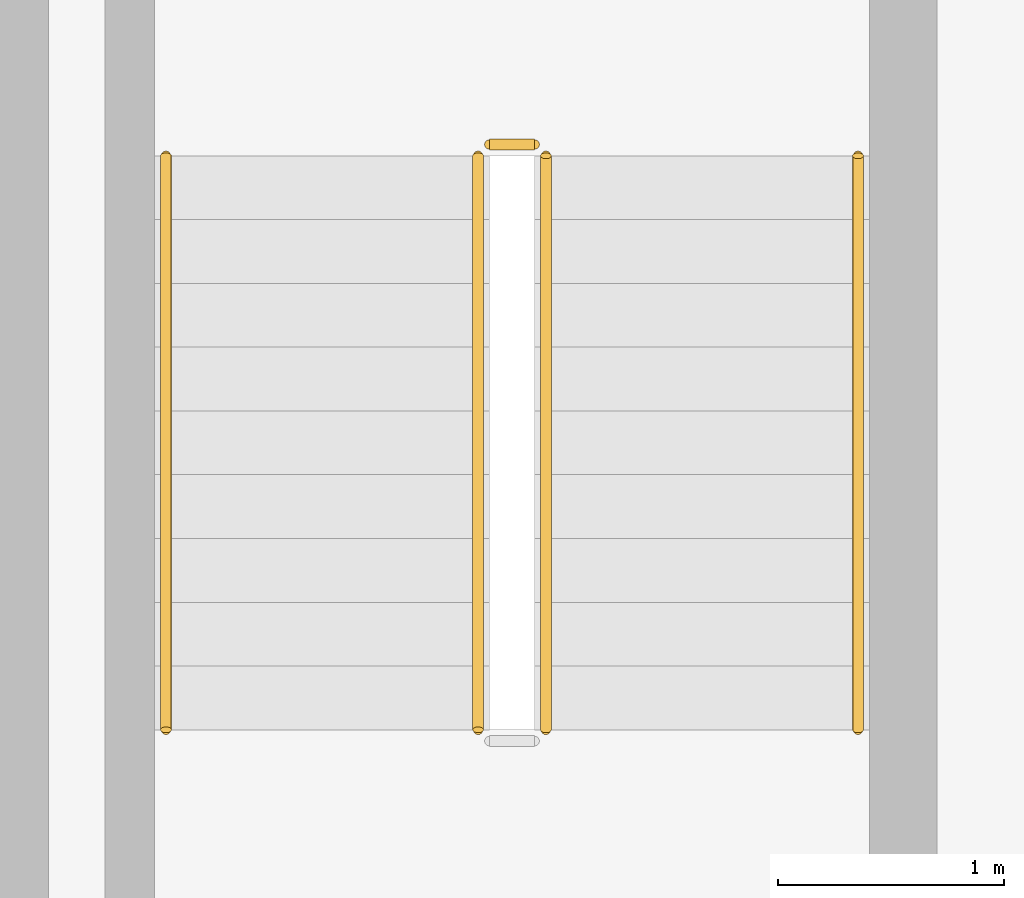
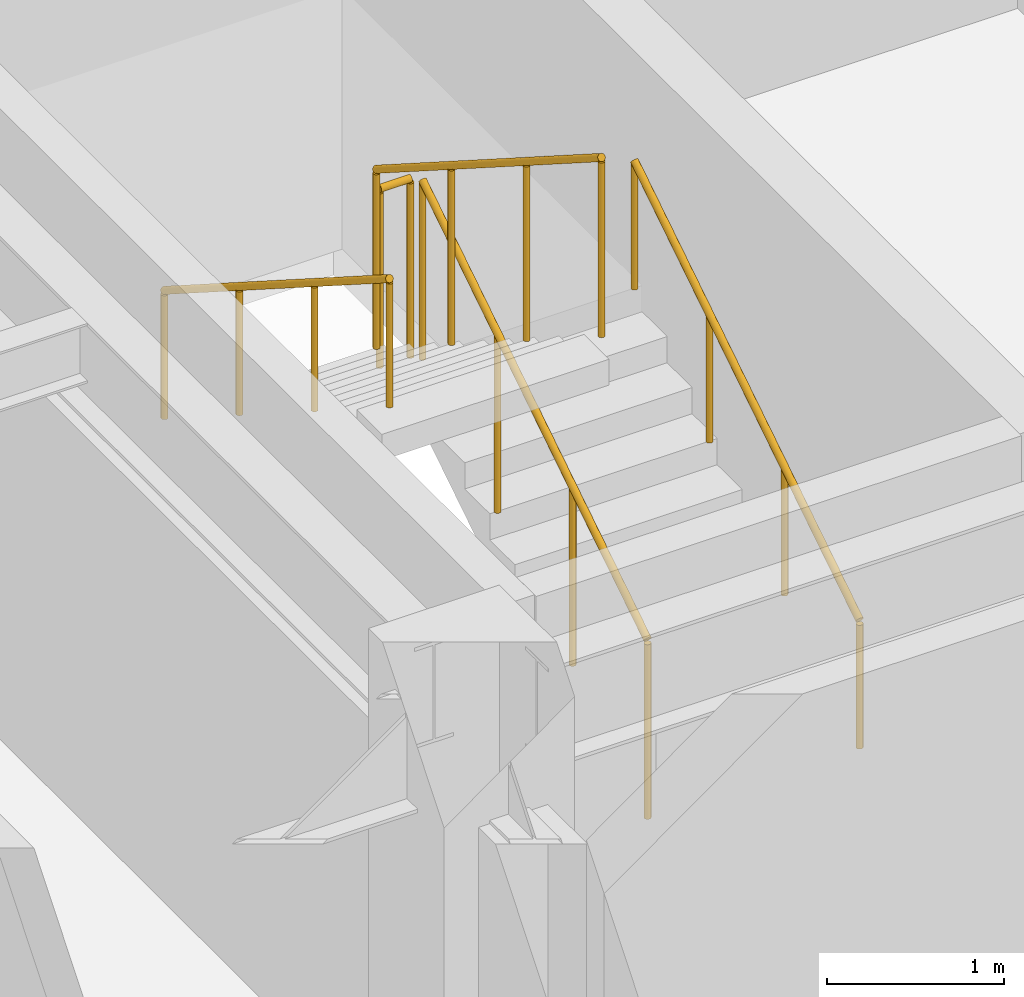
# One storey, part 15 of 15: 5 railings.
"""IFC4 building model written with IfcOpenShell, lengths in metres."""

import ifcopenshell
import ifcopenshell.guid

model = None  # the IFC model being written
_history = None  # IfcOwnerHistory: only IFC2X3 demands one
_inside = {}  # id of a spatial element -> (the spatial element, [elements in it])
_under = {}  # id of a project, library or spatial element -> (it, [spatial elements below it])
_declared = {}  # id of a project -> (the project, [libraries it declares])
_typed = {}  # id of a type object -> (the type object, [elements of that type])
_made_of = {}  # id of a material, layer set ... -> (it, [elements and type objects made of it])


def new_model(schema):
    """Start an empty IFC model of exactly this schema.

    Asked for "IFC4X3", IfcOpenShell would pick the latest addendum, in which some entities
    have other attributes; the version numbers below select the first issue.
    IFC2X3 requires an IfcOwnerHistory on every rooted entity: one is made here for all.
    """
    global model, _history
    if schema == "IFC4X3":
        model = ifcopenshell.file(schema_version=(4, 3, 0, 0))
    else:
        model = ifcopenshell.file(schema=schema)
    _inside.clear()
    _under.clear()
    _declared.clear()
    _typed.clear()
    _made_of.clear()
    _history = None
    if model.schema == "IFC2X3":
        org = make("IfcOrganization", Name="unknown")
        user = make(
            "IfcPersonAndOrganization",
            ThePerson=make("IfcPerson", FamilyName="unknown"),
            TheOrganization=org,
        )
        app = make(
            "IfcApplication",
            ApplicationDeveloper=org,
            Version="unknown",
            ApplicationFullName="unknown",
            ApplicationIdentifier="unknown",
        )
        _history = make(
            "IfcOwnerHistory",
            OwningUser=user,
            OwningApplication=app,
            ChangeAction="ADDED",
            CreationDate=0,
        )
    return model


def make(cls, **values):
    """One entity of the class cls with the attributes given. An attribute that is None is left unset."""
    return model.create_entity(
        cls, **{name: value for name, value in values.items() if value is not None}
    )


def rooted(cls, **values):
    """An entity with a GlobalId (a new one), such as an element, a storey or a relation."""
    return make(cls, GlobalId=ifcopenshell.guid.new(), OwnerHistory=_history, **values)


def si_unit(unit_type, name, prefix=None):
    """IfcSIUnit, for example si_unit("LENGTHUNIT", "METRE", prefix="MILLI")."""
    return make("IfcSIUnit", UnitType=unit_type, Prefix=prefix, Name=name)


def assignment(units):
    """IfcUnitAssignment: the units of a project."""
    return None if units is None else make("IfcUnitAssignment", Units=units)


def point(xyz):
    """IfcCartesianPoint."""
    return None if xyz is None else make("IfcCartesianPoint", Coordinates=xyz)


def direction(xyz):
    """IfcDirection."""
    return None if xyz is None else make("IfcDirection", DirectionRatios=xyz)


def frame(location, z_axis=None, x_axis=None):
    """IfcAxis2Placement3D, a coordinate frame: its origin and axes. An axis left out is left unset."""
    return make(
        "IfcAxis2Placement3D",
        Location=point(location),
        Axis=direction(z_axis),
        RefDirection=direction(x_axis),
    )


def frame_2d(location, x_axis=None):
    """IfcAxis2Placement2D, a coordinate frame in the plane: its origin and x axis."""
    return make(
        "IfcAxis2Placement2D", Location=point(location), RefDirection=direction(x_axis)
    )


def origin():
    """The frame at (0, 0, 0) with its axes left unset."""
    return frame((0.0, 0.0, 0.0))


def origin_2d():
    """The frame at (0, 0) in the plane with its x axis left unset."""
    return frame_2d((0.0, 0.0))


def place(relative_to, where):
    """IfcLocalPlacement: puts the frame where relative to a parent placement (None: the world)."""
    return make(
        "IfcLocalPlacement", PlacementRelTo=relative_to, RelativePlacement=where
    )


def context(
    kind, dimensions, precision=None, world=None, true_north=None, identifier=None
):
    """IfcGeometricRepresentationContext, for example the 3D "Model" context."""
    return make(
        "IfcGeometricRepresentationContext",
        ContextIdentifier=identifier,
        ContextType=kind,
        CoordinateSpaceDimension=dimensions,
        Precision=precision,
        WorldCoordinateSystem=world,
        TrueNorth=true_north,
    )


def subcontext(parent, identifier, kind, view, scale=None):
    """IfcGeometricRepresentationSubContext, for example "Body" below "Model"."""
    return make(
        "IfcGeometricRepresentationSubContext",
        ContextIdentifier=identifier,
        ContextType=kind,
        ParentContext=parent,
        TargetScale=scale,
        TargetView=view,
    )


def project(units=None, contexts=None):
    """IfcProject with its units and contexts."""
    return rooted(
        "IfcProject",
        Name="project",
        RepresentationContexts=contexts,
        UnitsInContext=assignment(units),
    )


def spatial(cls, under=None, at=None, **own):
    """A site, building, storey or space (cls), placed at a placement, below another one or the project."""
    s = rooted(cls, ObjectPlacement=at, **own)
    if under is not None:
        _under.setdefault(under.id(), (under, []))[1].append(s)
    return s


def profile(cls, at=None, kind="AREA", **sizes):
    """A parametric profile (cls). Its sizes go by their IFC names, for example OverallWidth=200.0."""
    return make(cls, ProfileType=kind, Position=at, **sizes)


def circle(**sizes):
    """IfcCircleProfileDef."""
    return profile("IfcCircleProfileDef", **sizes)


def extrude(swept, where, along, depth):
    """IfcExtrudedAreaSolid: the profile swept, set in the frame where, extruded along a direction by depth."""
    return make(
        "IfcExtrudedAreaSolid",
        SweptArea=swept,
        Position=where,
        ExtrudedDirection=direction(along),
        Depth=depth,
    )


def shape(context_of_items, identifier, shape_type, items):
    """IfcShapeRepresentation: the items that make up one representation, for example the "Body"."""
    return make(
        "IfcShapeRepresentation",
        ContextOfItems=context_of_items,
        RepresentationIdentifier=identifier,
        RepresentationType=shape_type,
        Items=items,
    )


def material(Name=None, Category=None):
    """IfcMaterial."""
    return make("IfcMaterial", Name=Name, Category=Category)


def made_of(thing, what):
    """Note that an element or type object is made of a material, layer set ...; save() writes the relation."""
    if what is not None:
        _made_of.setdefault(what.id(), (what, []))[1].append(thing)
    return thing


def type_object(cls, material=None, **own):
    """A type object (cls), such as IfcWallType, which elements share."""
    return made_of(rooted(cls, **own), material)


def element(
    cls,
    number,
    at=None,
    inside=None,
    cuts=None,
    type_object=None,
    material=None,
    context=None,
    identifier="Body",
    shape_type=None,
    held_by="IfcProductDefinitionShape",
    body=None,
    shapes=None,
    **own,
):
    """One element of the class cls, such as IfcWall. Its Tag is "e" and its number.

    at: its placement. inside: the storey or other place that contains it. cuts: it is an
    opening in that element (IfcRelVoidsElement). A single representation is given by context,
    identifier, shape_type and body (its items); several are given by shapes. held_by: the class
    of the entity that holds the representations. save() writes the other relations.
    """
    e = rooted(cls, Tag="e%d" % number, ObjectPlacement=at, **own)
    if body is not None:
        shapes = [shape(context, identifier, shape_type, body)]
    if shapes is not None:
        e.Representation = make(held_by, Representations=shapes)
    if inside is not None:
        _inside.setdefault(inside.id(), (inside, []))[1].append(e)
    if cuts is not None:
        rooted(
            "IfcRelVoidsElement", RelatingBuildingElement=cuts, RelatedOpeningElement=e
        )
    if type_object is not None:
        _typed.setdefault(type_object.id(), (type_object, []))[1].append(e)
    return made_of(e, material)


def aggregate(whole, parts):
    """IfcRelAggregates: a whole, such as a stair, and the parts it consists of."""
    return rooted("IfcRelAggregates", RelatingObject=whole, RelatedObjects=parts)


def save(model, path):
    """Write the relations noted so far, then the file.

    IfcRelAggregates (storeys below a building ...), IfcRelContainedInSpatialStructure (elements
    in a storey), IfcRelDefinesByType, IfcRelAssociatesMaterial and IfcRelDeclares: one each for
    every whole, place, type object, material and project.
    """
    for whole, parts in _under.values():
        aggregate(whole, parts)
    for where, things in _inside.values():
        rooted(
            "IfcRelContainedInSpatialStructure",
            RelatedElements=things,
            RelatingStructure=where,
        )
    for kind, things in _typed.values():
        rooted("IfcRelDefinesByType", RelatedObjects=things, RelatingType=kind)
    for what, things in _made_of.values():
        rooted("IfcRelAssociatesMaterial", RelatedObjects=things, RelatingMaterial=what)
    for by, libraries in _declared.values():
        rooted("IfcRelDeclares", RelatingContext=by, RelatedDefinitions=libraries)
    model.write(path)


model = new_model("IFC4")

# Units and contexts
model_context = context("Model", 3, precision=1e-05, world=origin(), true_north=direction((0.0, 1.0)))
body_context = subcontext(model_context, "Body", "Model", "MODEL_VIEW")
ifc_project = project(units=[si_unit("LENGTHUNIT", "METRE"), si_unit("AREAUNIT", "SQUARE_METRE"), si_unit("VOLUMEUNIT", "CUBIC_METRE"), si_unit("PLANEANGLEUNIT", "RADIAN"), si_unit("MASSUNIT", "GRAM", prefix="KILO")], contexts=[model_context])

# Site, building, storey
site_placement = place(None, origin())
site = spatial("IfcSite", under=ifc_project, at=site_placement, CompositionType="ELEMENT")
building_placement = place(site_placement, origin())
building = spatial("IfcBuilding", under=site, at=building_placement, Name="Ochreholt Gables", CompositionType="ELEMENT")
storey_placement = place(building_placement, frame((0.0, 0.0, 31.199951171875)))
storey = spatial("IfcBuildingStorey", under=building, at=storey_placement, Name="L07", CompositionType="ELEMENT", Elevation=31.199951171875)

# Railings
ifc_material_1 = material(Name="Painted Steel Stair Guardrail", Category="steel")
railing_type_1 = type_object("IfcRailingType", Name="RL-ST-GUARD", PredefinedType="GUARDRAIL", material=ifc_material_1)
railing_1_placement = place(storey_placement, frame((26.64990234375, 32.4599609375, 0.179931640625)))
element("IfcRailing", 1, at=railing_1_placement, inside=storey, type_object=railing_type_1, Name="L07 ST-2 stair guard 1", PredefinedType="GUARDRAIL", context=body_context, shape_type="SweptSolid", body=[
    extrude(circle(Radius=0.02392578125, at=origin_2d()), frame((0.0, 0.0, 1.22607421875), z_axis=(0.0, 0.842912820907, 0.538050161556), x_axis=(-1.0, 0.0, 0.0)), (0.0, 0.0, 1.0), 3.010986328125),
    extrude(circle(Radius=0.02099609375, at=origin_2d()), origin(), (0.0, 0.0, 1.0), 1.201904296875),
    extrude(circle(Radius=0.02099609375, at=origin_2d()), frame((0.0, 0.845947265625, 0.5400390625)), (0.0, 0.0, 1.0), 1.201904296875),
    extrude(circle(Radius=0.02099609375, at=origin_2d()), frame((0.0, 1.692138671875, 1.080078125)), (0.0, 0.0, 1.0), 1.201904296875),
    extrude(circle(Radius=0.02099609375, at=origin_2d()), frame((0.0, 2.5380859375, 1.6201171875)), (0.0, 0.0, 1.0), 1.201904296875),
])
railing_2_placement = place(storey_placement, frame((26.60009765625, 35.048095703125, 1.800048828125)))
element("IfcRailing", 2, at=railing_2_placement, inside=storey, type_object=railing_type_1, Name="L07 ST-2 stair guard 2", PredefinedType="GUARDRAIL", context=body_context, shape_type="SweptSolid", body=[
    extrude(circle(Radius=0.02392578125, at=origin_2d()), frame((0.0, 0.0, 1.22607421875), z_axis=(-1.0, 0.0, 0.0), x_axis=(0.0, -1.0, 0.0)), (0.0, 0.0, 1.0), 0.2001953125),
    extrude(circle(Radius=0.02099609375, at=origin_2d()), origin(), (0.0, 0.0, 1.0), 1.201904296875),
    extrude(circle(Radius=0.02099609375, at=origin_2d()), frame((-0.2001953125, 0.0, 0.0)), (0.0, 0.0, 1.0), 1.201904296875),
])
railing_3_placement = place(storey_placement, frame((26.35009765625, 34.998046875, 1.97998046875)))
element("IfcRailing", 3, at=railing_3_placement, inside=storey, type_object=railing_type_1, Name="L07 ST-2 stair guard 3", PredefinedType="GUARDRAIL", context=body_context, shape_type="SweptSolid", body=[
    extrude(circle(Radius=0.02392578125, at=origin_2d()), frame((0.0, 0.0, 1.22607421875), z_axis=(0.0, -0.842912820907, 0.538050161556), x_axis=(1.0, 0.0, 0.0)), (0.0, 0.0, 1.0), 3.010986328125),
    extrude(circle(Radius=0.02099609375, at=origin_2d()), origin(), (0.0, 0.0, 1.0), 1.201904296875),
    extrude(circle(Radius=0.02099609375, at=origin_2d()), frame((0.0, -0.845947265625, 0.5400390625)), (0.0, 0.0, 1.0), 1.201904296875),
    extrude(circle(Radius=0.02099609375, at=origin_2d()), frame((0.0, -1.692138671875, 1.080078125)), (0.0, 0.0, 1.0), 1.201904296875),
    extrude(circle(Radius=0.02099609375, at=origin_2d()), frame((0.0, -2.5380859375, 1.6201171875)), (0.0, 0.0, 1.0), 1.201904296875),
])
ifc_material_2 = material(Name="Brushed Stainless Steel Wall Handrail", Category="steel")
railing_type_2 = type_object("IfcRailingType", Name="RL-ST-HAND", PredefinedType="HANDRAIL", material=ifc_material_2)
railing_4_placement = place(storey_placement, frame((28.030029296875, 32.4599609375, 0.179931640625)))
element("IfcRailing", 4, at=railing_4_placement, inside=storey, type_object=railing_type_2, Name="L07 ST-2 stair handrail 1", PredefinedType="HANDRAIL", context=body_context, shape_type="SweptSolid", body=[
    extrude(circle(Radius=0.02392578125, at=origin_2d()), frame((0.0, 0.0, 0.8759765625), z_axis=(0.0, 0.842912820907, 0.538050161556), x_axis=(-1.0, 0.0, 0.0)), (0.0, 0.0, 1.0), 3.010986328125),
    extrude(circle(Radius=0.02099609375, at=origin_2d()), origin(), (0.0, 0.0, 1.0), 0.851806640625),
    extrude(circle(Radius=0.02099609375, at=origin_2d()), frame((0.0, 0.845947265625, 0.5400390625)), (0.0, 0.0, 1.0), 0.851806640625),
    extrude(circle(Radius=0.02099609375, at=origin_2d()), frame((0.0, 1.692138671875, 1.080078125)), (0.0, 0.0, 1.0), 0.851806640625),
    extrude(circle(Radius=0.02099609375, at=origin_2d()), frame((0.0, 2.5380859375, 1.6201171875)), (0.0, 0.0, 1.0), 0.851806640625),
])
railing_5_placement = place(storey_placement, frame((24.969970703125, 34.998046875, 1.97998046875)))
element("IfcRailing", 5, at=railing_5_placement, inside=storey, type_object=railing_type_2, Name="L07 ST-2 stair handrail 2", PredefinedType="HANDRAIL", context=body_context, shape_type="SweptSolid", body=[
    extrude(circle(Radius=0.02392578125, at=origin_2d()), frame((0.0, 0.0, 0.8759765625), z_axis=(0.0, -0.842912820907, 0.538050161556), x_axis=(1.0, 0.0, 0.0)), (0.0, 0.0, 1.0), 3.010986328125),
    extrude(circle(Radius=0.02099609375, at=origin_2d()), origin(), (0.0, 0.0, 1.0), 0.851806640625),
    extrude(circle(Radius=0.02099609375, at=origin_2d()), frame((0.0, -0.845947265625, 0.5400390625)), (0.0, 0.0, 1.0), 0.851806640625),
    extrude(circle(Radius=0.02099609375, at=origin_2d()), frame((0.0, -1.692138671875, 1.080078125)), (0.0, 0.0, 1.0), 0.851806640625),
    extrude(circle(Radius=0.02099609375, at=origin_2d()), frame((0.0, -2.5380859375, 1.6201171875)), (0.0, 0.0, 1.0), 0.851806640625),
])

save(model, "model.ifc")
